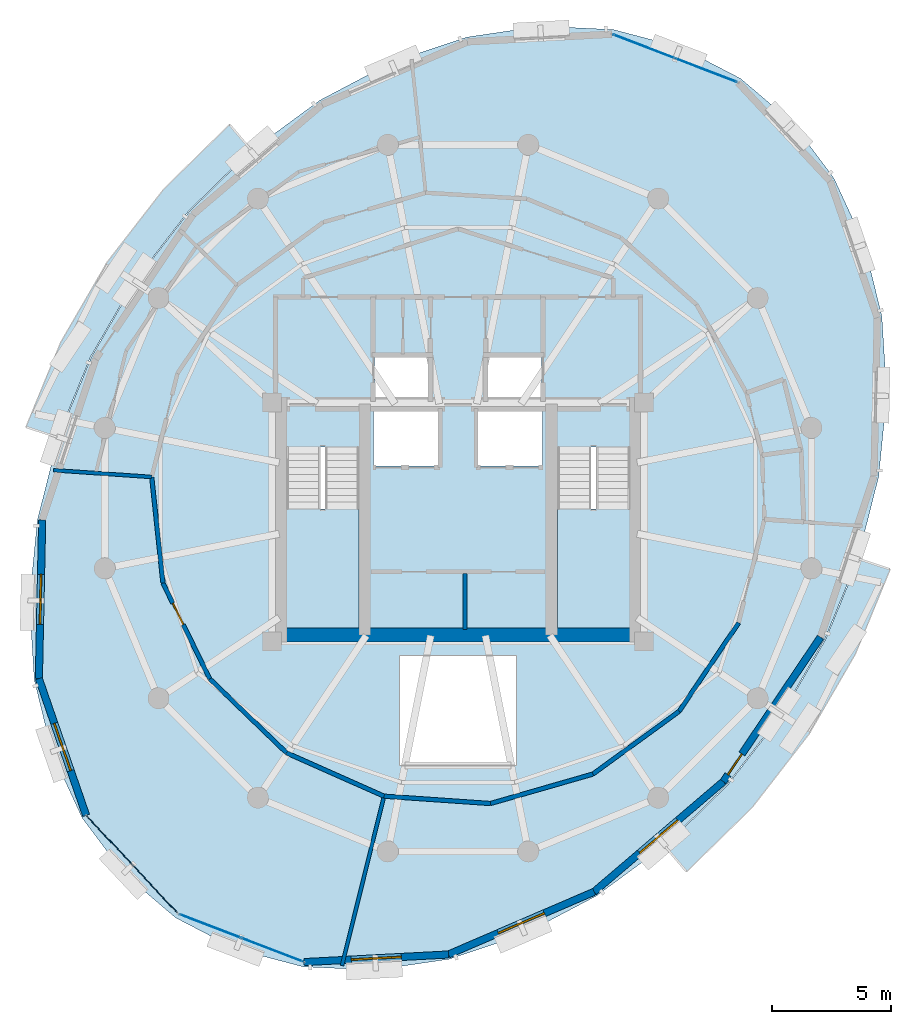
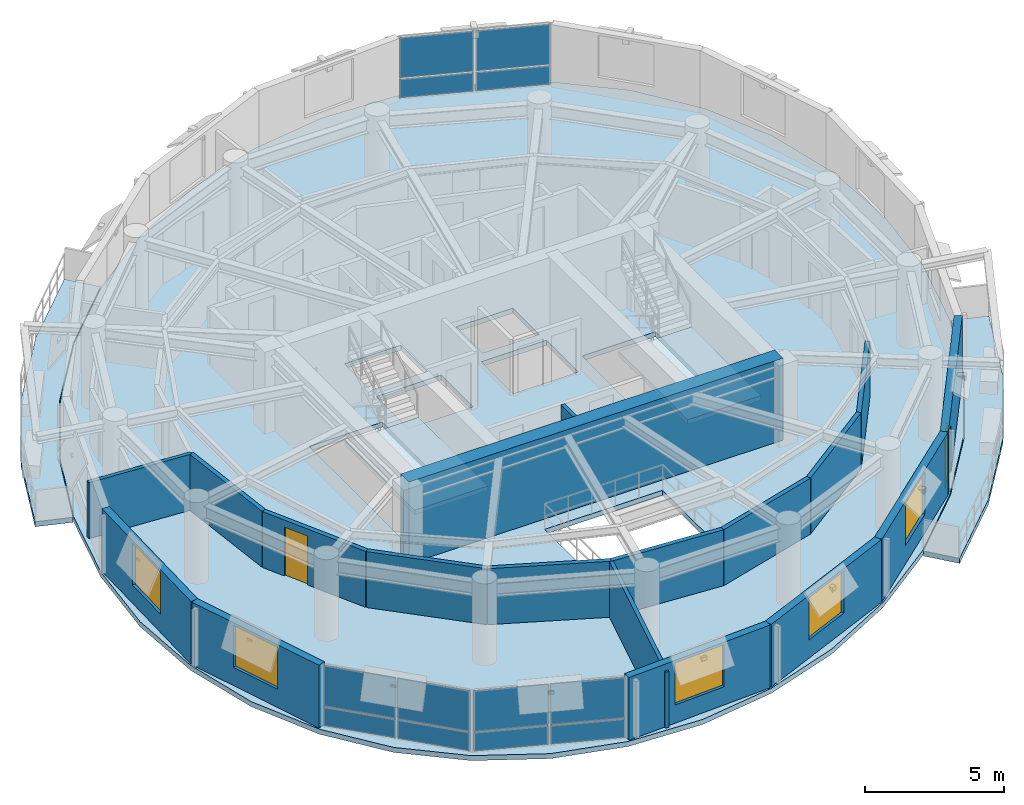
# One storey, part 6 of 11: 18 walls, 12 plates, 5 slabs, 5 windows, 2 doors, 7 openings, 5 elements without a shape of their own.
"""IFC4 building model written with IfcOpenShell, lengths in metres."""

from ifc_helpers import new_model, si_unit, direction, frame, frame_2d, origin, origin_2d, place, context, subcontext, project, spatial, polyline, rectangle, outline, extrude, material, layer, layer_set, type_object, element, fill, aggregate, save


model = new_model("IFC4")

# Units and contexts
model_context = context("Model", 3, precision=1e-05, world=origin(), true_north=direction((0.0, 1.0)))
body_context = subcontext(model_context, "Body", "Model", "MODEL_VIEW")
ifc_project = project(units=[si_unit("LENGTHUNIT", "METRE"), si_unit("AREAUNIT", "SQUARE_METRE"), si_unit("VOLUMEUNIT", "CUBIC_METRE"), si_unit("PLANEANGLEUNIT", "RADIAN"), si_unit("MASSUNIT", "GRAM", prefix="KILO"), si_unit("THERMODYNAMICTEMPERATUREUNIT", "KELVIN"), si_unit("POWERUNIT", "WATT")], contexts=[model_context])

# Site, building, storey
site_placement = place(None, origin())
site = spatial("IfcSite", under=ifc_project, at=site_placement, CompositionType="ELEMENT")
building_placement = place(site_placement, origin())
building = spatial("IfcBuilding", under=site, at=building_placement, Name="Ocrelia Relay Tower", CompositionType="ELEMENT")
storey_placement = place(building_placement, frame((0.0, 0.0, 262.800048828125)))
storey = spatial("IfcBuildingStorey", under=building, at=storey_placement, Name="L65", CompositionType="ELEMENT", Elevation=262.800048828125)

# Curtain wall, plates
ifc_material_1 = material(Name="Aluminium and solar-control low-E glass", Category="aluminium")
ifc_layer_1 = layer(ifc_material_1, 0.179931640625, Name="Aluminium and solar-control low-E glass")
ifc_layer_set_1 = layer_set([ifc_layer_1], Name="Aluminium and solar-control low-E glass")
curtain_wall_type = type_object("IfcCurtainWallType", Name="CW-SYS-Z4-EXEC", PredefinedType="NOTDEFINED", material=ifc_layer_set_1)
curtain_wall_1_placement = place(storey_placement, origin())
curtain_wall_1 = element("IfcCurtainWall", 1, at=curtain_wall_1_placement, inside=storey, type_object=curtain_wall_type, Name="L65 Elliptical Tower Curtain Wall Bay 01", PredefinedType="NOTDEFINED")
ifc_material_2 = material(Name="Clear double-glazed low-E glass", Category="glass")
ifc_layer_2 = layer(ifc_material_2, 0.031982421875, Name="Clear double-glazed low-E glass")
ifc_layer_set_2 = layer_set([ifc_layer_2], Name="Clear double-glazed low-E glass")
plate_type = type_object("IfcPlateType", Name="CW-SYS-Z4-EXEC-PNL", PredefinedType="CURTAIN_PANEL", material=ifc_layer_set_2)
plate_1_placement = place(storey_placement, frame((44.39404296875, 43.931884765625, 0.059814453125), z_axis=(0.0, 0.0, 1.0), x_axis=(-0.93359352181, 0.358333833227, 0.0)))
plate_1 = element("IfcPlate", 2, at=plate_1_placement, type_object=plate_type, Name="CW-Z4 panel 1.1", PredefinedType="CURTAIN_PANEL", context=body_context, shape_type="SweptSolid", body=[
    extrude(rectangle(XDim=2.7275390625, YDim=0.031982421875, at=origin_2d()), origin(), (0.0, 0.0, 1.0), 0.81005859375),
])
plate_2_placement = place(storey_placement, frame((44.39404296875, 43.931884765625, 0.929931640625), z_axis=(0.0, 0.0, 1.0), x_axis=(-0.93359352181, 0.358333833227, 0.0)))
plate_2 = element("IfcPlate", 3, at=plate_2_placement, type_object=plate_type, Name="CW-Z4 panel 1.2", PredefinedType="CURTAIN_PANEL", context=body_context, shape_type="SweptSolid", body=[
    extrude(rectangle(XDim=2.7275390625, YDim=0.031982421875, at=origin_2d()), origin(), (0.0, 0.0, 1.0), 1.77001953125),
])
plate_3_placement = place(storey_placement, frame((41.786865234375, 44.9326171875, 0.059814453125), z_axis=(0.0, 0.0, 1.0), x_axis=(-0.93359352181, 0.358333833227, 0.0)))
plate_3 = element("IfcPlate", 4, at=plate_3_placement, type_object=plate_type, Name="CW-Z4 panel 2.1", PredefinedType="CURTAIN_PANEL", context=body_context, shape_type="SweptSolid", body=[
    extrude(rectangle(XDim=2.7275390625, YDim=0.031982421875, at=origin_2d()), origin(), (0.0, 0.0, 1.0), 0.81005859375),
])
plate_4_placement = place(storey_placement, frame((41.786865234375, 44.9326171875, 0.929931640625), z_axis=(0.0, 0.0, 1.0), x_axis=(-0.93359352181, 0.358333833227, 0.0)))
plate_4 = element("IfcPlate", 5, at=plate_4_placement, type_object=plate_type, Name="CW-Z4 panel 2.2", PredefinedType="CURTAIN_PANEL", context=body_context, shape_type="SweptSolid", body=[
    extrude(rectangle(XDim=2.7275390625, YDim=0.031982421875, at=origin_2d()), origin(), (0.0, 0.0, 1.0), 1.77001953125),
])
aggregate(curtain_wall_1, [plate_1, plate_2, plate_3, plate_4])

curtain_wall_2_placement = place(storey_placement, origin())
curtain_wall_2 = element("IfcCurtainWall", 6, at=curtain_wall_2_placement, inside=storey, type_object=curtain_wall_type, Name="L65 Elliptical Tower Curtain Wall Bay 09", PredefinedType="NOTDEFINED")
plate_5_placement = place(storey_placement, frame((19.387939453125, 11.66259765625, 0.059814453125), z_axis=(0.0, 0.0, 1.0), x_axis=(0.683240243185, -0.73019365246, 0.0)))
plate_5 = element("IfcPlate", 7, at=plate_5_placement, type_object=plate_type, Name="CW-Z4 panel 1.1", PredefinedType="CURTAIN_PANEL", context=body_context, shape_type="SweptSolid", body=[
    extrude(rectangle(XDim=2.7275390625, YDim=0.031982421875, at=origin_2d()), origin(), (0.0, 0.0, 1.0), 0.81005859375),
])
plate_6_placement = place(storey_placement, frame((19.387939453125, 11.66259765625, 0.929931640625), z_axis=(0.0, 0.0, 1.0), x_axis=(0.683240243185, -0.73019365246, 0.0)))
plate_6 = element("IfcPlate", 8, at=plate_6_placement, type_object=plate_type, Name="CW-Z4 panel 1.2", PredefinedType="CURTAIN_PANEL", context=body_context, shape_type="SweptSolid", body=[
    extrude(rectangle(XDim=2.7275390625, YDim=0.031982421875, at=origin_2d()), origin(), (0.0, 0.0, 1.0), 1.77001953125),
])
plate_7_placement = place(storey_placement, frame((21.2958984375, 9.623291015625, 0.059814453125), z_axis=(0.0, 0.0, 1.0), x_axis=(0.683240243185, -0.73019365246, 0.0)))
plate_7 = element("IfcPlate", 9, at=plate_7_placement, type_object=plate_type, Name="CW-Z4 panel 2.1", PredefinedType="CURTAIN_PANEL", context=body_context, shape_type="SweptSolid", body=[
    extrude(rectangle(XDim=2.7275390625, YDim=0.031982421875, at=origin_2d()), origin(), (0.0, 0.0, 1.0), 0.81005859375),
])
plate_8_placement = place(storey_placement, frame((21.2958984375, 9.623291015625, 0.929931640625), z_axis=(0.0, 0.0, 1.0), x_axis=(0.683240243185, -0.73019365246, 0.0)))
plate_8 = element("IfcPlate", 10, at=plate_8_placement, type_object=plate_type, Name="CW-Z4 panel 2.2", PredefinedType="CURTAIN_PANEL", context=body_context, shape_type="SweptSolid", body=[
    extrude(rectangle(XDim=2.7275390625, YDim=0.031982421875, at=origin_2d()), origin(), (0.0, 0.0, 1.0), 1.77001953125),
])
aggregate(curtain_wall_2, [plate_5, plate_6, plate_7, plate_8])

curtain_wall_3_placement = place(storey_placement, origin())
curtain_wall_3 = element("IfcCurtainWall", 11, at=curtain_wall_3_placement, inside=storey, type_object=curtain_wall_type, Name="L65 Elliptical Tower Curtain Wall Bay 10", PredefinedType="NOTDEFINED")
plate_9_placement = place(storey_placement, frame((23.60595703125, 8.068115234375, 0.059814453125), z_axis=(0.0, 0.0, 1.0), x_axis=(0.93359352181, -0.358333833227, 0.0)))
plate_9 = element("IfcPlate", 12, at=plate_9_placement, type_object=plate_type, Name="CW-Z4 panel 1.1", PredefinedType="CURTAIN_PANEL", context=body_context, shape_type="SweptSolid", body=[
    extrude(rectangle(XDim=2.7275390625, YDim=0.031982421875, at=origin_2d()), origin(), (0.0, 0.0, 1.0), 0.81005859375),
])
plate_10_placement = place(storey_placement, frame((23.60595703125, 8.068115234375, 0.929931640625), z_axis=(0.0, 0.0, 1.0), x_axis=(0.93359352181, -0.358333833227, 0.0)))
plate_10 = element("IfcPlate", 13, at=plate_10_placement, type_object=plate_type, Name="CW-Z4 panel 1.2", PredefinedType="CURTAIN_PANEL", context=body_context, shape_type="SweptSolid", body=[
    extrude(rectangle(XDim=2.7275390625, YDim=0.031982421875, at=origin_2d()), origin(), (0.0, 0.0, 1.0), 1.77001953125),
])
plate_11_placement = place(storey_placement, frame((26.213134765625, 7.0673828125, 0.059814453125), z_axis=(0.0, 0.0, 1.0), x_axis=(0.93359352181, -0.358333833227, 0.0)))
plate_11 = element("IfcPlate", 14, at=plate_11_placement, type_object=plate_type, Name="CW-Z4 panel 2.1", PredefinedType="CURTAIN_PANEL", context=body_context, shape_type="SweptSolid", body=[
    extrude(rectangle(XDim=2.7275390625, YDim=0.031982421875, at=origin_2d()), origin(), (0.0, 0.0, 1.0), 0.81005859375),
])
plate_12_placement = place(storey_placement, frame((26.213134765625, 7.0673828125, 0.929931640625), z_axis=(0.0, 0.0, 1.0), x_axis=(0.93359352181, -0.358333833227, 0.0)))
plate_12 = element("IfcPlate", 15, at=plate_12_placement, type_object=plate_type, Name="CW-Z4 panel 2.2", PredefinedType="CURTAIN_PANEL", context=body_context, shape_type="SweptSolid", body=[
    extrude(rectangle(XDim=2.7275390625, YDim=0.031982421875, at=origin_2d()), origin(), (0.0, 0.0, 1.0), 1.77001953125),
])
aggregate(curtain_wall_3, [plate_9, plate_10, plate_11, plate_12])

# Slabs
ifc_material_3 = material(Name="Precast concrete C40/50", Category="concrete")
ifc_layer_3 = layer(ifc_material_3, 0.219970703125, Name="Precast concrete C40/50")
ifc_layer_set_3 = layer_set([ifc_layer_3], Name="Precast concrete C40/50")
slab_type_1 = type_object("IfcSlabType", Name="SL-BALC-220", PredefinedType="FLOOR", material=ifc_layer_set_3)
slab_1_placement = place(storey_placement, frame((0.0, 0.0, -0.219970703125)))
element("IfcSlab", 16, at=slab_1_placement, inside=storey, type_object=slab_type_1, Name="L65 Planted Loggia Balcony B1", PredefinedType="FLOOR", context=body_context, shape_type="SweptSolid", body=[
    extrude(outline(polyline([(25.323974609375, 40.591796875), (24.020751953125, 39.315185546875), (22.717529296875, 38.03857421875), (20.453857421875, 35.119873046875), (18.601318359375, 31.92431640625), (17.90869140625, 30.236572265625), (17.21630859375, 28.548583984375), (15.89306640625, 28.985595703125), (16.6220703125, 30.762451171875), (17.351318359375, 32.53955078125), (19.298095703125, 35.897705078125), (21.67724609375, 38.965087890625), (23.04931640625, 40.309326171875), (24.42138671875, 41.6533203125), (25.323974609375, 40.591796875)])), origin(), (0.0, 0.0, 1.0), 0.219970703125),
])
slab_2_placement = place(storey_placement, frame((0.0, 0.0, -0.219970703125)))
element("IfcSlab", 17, at=slab_2_placement, inside=storey, type_object=slab_type_1, Name="L65 Planted Loggia Balcony B2", PredefinedType="FLOOR", context=body_context, shape_type="SweptSolid", body=[
    extrude(outline(polyline([(42.676025390625, 11.408203125), (43.979248046875, 12.684814453125), (45.282470703125, 13.96142578125), (47.546142578125, 16.880126953125), (49.398681640625, 20.07568359375), (50.09130859375, 21.763427734375), (50.78369140625, 23.451416015625), (52.10693359375, 23.014404296875), (51.3779296875, 21.237548828125), (50.648681640625, 19.46044921875), (48.701904296875, 16.102294921875), (46.32275390625, 13.034912109375), (44.95068359375, 11.690673828125), (43.57861328125, 10.3466796875), (42.676025390625, 11.408203125)])), origin(), (0.0, 0.0, 1.0), 0.219970703125),
])
ifc_material_4 = material(Name="Concrete C50/60", Category="concrete")
ifc_layer_4 = layer(ifc_material_4, 0.219970703125, Name="Concrete C50/60")
ifc_layer_set_4 = layer_set([ifc_layer_4], Name="Concrete C50/60")
slab_type_2 = type_object("IfcSlabType", Name="SL-FLR-220", PredefinedType="FLOOR", material=ifc_layer_set_4)
slab_3_placement = place(storey_placement, frame((0.0, 0.0, -0.219970703125)))
element("IfcSlab", 18, at=slab_3_placement, inside=storey, type_object=slab_type_2, Name="L65 Elliptical Tower Floor Slab", PredefinedType="FLOOR", context=body_context, shape_type="SweptSolid", body=[
    extrude(outline(polyline([(45.839599609375, 43.5859375), (43.311767578125, 44.8994140625), (40.5009765625, 45.638916015625), (37.49267578125, 45.781494140625), (34.37841796875, 45.322998046875), (31.25244140625, 44.27734375), (28.2099609375, 42.676513671875), (25.343505859375, 40.56884765625), (22.739990234375, 38.0185546875), (20.478759765625, 35.10302734375), (18.628173828125, 31.910888671875), (17.244873046875, 28.539306640625), (16.37060546875, 25.090576171875), (16.03173828125, 21.669189453125), (16.239013671875, 18.379638671875), (16.986083984375, 15.32177734375), (18.25, 12.588134765625), (19.992431640625, 10.261962890625), (22.160400390625, 8.4140625), (24.688232421875, 7.1005859375), (27.4990234375, 6.361083984375), (30.50732421875, 6.218505859375), (33.62158203125, 6.677001953125), (36.74755859375, 7.72265625), (39.7900390625, 9.323486328125), (42.656494140625, 11.43115234375), (45.260009765625, 13.9814453125), (47.521240234375, 16.89697265625), (49.371826171875, 20.089111328125), (50.755126953125, 23.460693359375), (51.62939453125, 26.909423828125), (51.96826171875, 30.330810546875), (51.760986328125, 33.620361328125), (51.013916015625, 36.67822265625), (49.75, 39.411865234375), (48.007568359375, 41.738037109375), (45.839599609375, 43.5859375)]), holes=[polyline([(26.81005859375, 28.14990234375), (26.81005859375, 20.550048828125), (29.85009765625, 20.550048828125), (29.85009765625, 28.14990234375), (26.81005859375, 28.14990234375)]), polyline([(38.159912109375, 28.14990234375), (38.159912109375, 20.550048828125), (41.199951171875, 20.550048828125), (41.199951171875, 28.14990234375), (38.159912109375, 28.14990234375)]), polyline([(30.4599609375, 27.35009765625), (33.159912109375, 27.35009765625), (33.159912109375, 29.64990234375), (30.4599609375, 29.64990234375), (30.4599609375, 27.35009765625)]), polyline([(34.840087890625, 27.35009765625), (37.5400390625, 27.35009765625), (37.5400390625, 29.64990234375), (34.840087890625, 29.64990234375), (34.840087890625, 27.35009765625)]), polyline([(30.5, 30.10009765625), (32.85009765625, 30.10009765625), (32.85009765625, 32.0), (30.5, 32.0), (30.5, 30.10009765625)]), polyline([(35.14990234375, 30.10009765625), (37.5, 30.10009765625), (37.5, 32.0), (35.14990234375, 32.0), (35.14990234375, 30.10009765625)]), polyline([(31.550048828125, 14.800048828125), (36.449951171875, 14.800048828125), (36.449951171875, 19.39990234375), (31.550048828125, 19.39990234375), (31.550048828125, 14.800048828125)])]), origin(), (0.0, 0.0, 1.0), 0.219970703125),
])

# Stair, slab
stair_type = type_object("IfcStairType", Name="ST-DL-1420-R180", PredefinedType="HALF_TURN_STAIR", material=ifc_material_4)
stair_1_placement = place(storey_placement, origin())
stair_1 = element("IfcStair", 19, at=stair_1_placement, inside=storey, type_object=stair_type, Name="L65 West Core Exit Stair ST1", PredefinedType="HALF_TURN_STAIR")
ifc_layer_5 = layer(ifc_material_4, 0.199951171875, Name="Concrete C50/60")
ifc_layer_set_5 = layer_set([ifc_layer_5], Name="Concrete C50/60")
slab_type_3 = type_object("IfcSlabType", Name="SL-LANDING-200", PredefinedType="LANDING", material=ifc_layer_set_5)
slab_4_placement = place(storey_placement, frame((0.0, 0.0, 1.599853515625)))
slab_4 = element("IfcSlab", 20, at=slab_4_placement, type_object=slab_type_3, Name="ST1 landing 1", PredefinedType="LANDING", context=body_context, shape_type="SweptSolid", body=[
    extrude(outline(polyline([(26.81005859375, 25.5400390625), (26.81005859375, 20.550048828125), (29.85009765625, 20.550048828125), (29.85009765625, 25.5400390625), (26.81005859375, 25.5400390625)])), origin(), (0.0, 0.0, 1.0), 0.2001953125),
])
aggregate(stair_1, [slab_4])

stair_2_placement = place(storey_placement, origin())
stair_2 = element("IfcStair", 21, at=stair_2_placement, inside=storey, type_object=stair_type, Name="L65 East Core Exit Stair ST2", PredefinedType="HALF_TURN_STAIR")
slab_5_placement = place(storey_placement, frame((0.0, 0.0, 1.599853515625)))
slab_5 = element("IfcSlab", 22, at=slab_5_placement, type_object=slab_type_3, Name="ST2 landing 1", PredefinedType="LANDING", context=body_context, shape_type="SweptSolid", body=[
    extrude(outline(polyline([(38.159912109375, 25.5400390625), (38.159912109375, 20.550048828125), (41.199951171875, 20.550048828125), (41.199951171875, 25.5400390625), (38.159912109375, 25.5400390625)])), origin(), (0.0, 0.0, 1.0), 0.2001953125),
])
aggregate(stair_2, [slab_5])

# Walls
ifc_layer_6 = layer(ifc_material_4, 0.60009765625, Name="Concrete C50/60")
ifc_layer_set_6 = layer_set([ifc_layer_6], Name="Concrete C50/60")
wall_type_1 = type_object("IfcWallType", Name="CW-CORE-600B", PredefinedType="SHEAR", material=ifc_layer_set_6)
wall_1_placement = place(storey_placement, frame((26.221923828125, 20.261962890625, 0.0), z_axis=(0.0, 0.0, 1.0), x_axis=(1.0, 0.0, 0.0)))
element("IfcWall", 23, at=wall_1_placement, inside=storey, type_object=wall_type_1, Name="L65 Core Shear Wall S", PredefinedType="SHEAR", context=body_context, shape_type="SweptSolid", body=[
    extrude(rectangle(XDim=15.566162109375, YDim=0.60009765625, at=frame_2d((7.783203125, 0.0))), origin(), (0.0, 0.0, 1.0), 3.599853515625),
])
ifc_material_5 = material(Name="Gypsum Fireboard Partition EI60", Category="gypsum")
ifc_layer_7 = layer(ifc_material_5, 0.179931640625, Name="Gypsum Fireboard Partition EI60")
ifc_layer_set_7 = layer_set([ifc_layer_7], Name="Gypsum Fireboard Partition EI60")
wall_type_2 = type_object("IfcWallType", Name="W-CORR-EI60-180", PredefinedType="PARTITIONING", material=ifc_layer_set_7)
wall_2_placement = place(storey_placement, frame((21.16064453125, 26.88671875, 0.0), z_axis=(0.0, 0.0, 1.0), x_axis=(0.10536430775, -0.994433689419, 0.0)))
element("IfcWall", 24, at=wall_2_placement, inside=storey, type_object=wall_type_2, Name="L65 Treaty Folio Store C Corridor Partition 1", PredefinedType="PARTITIONING", context=body_context, shape_type="SweptSolid", body=[
    extrude(rectangle(XDim=4.4697265625, YDim=0.179931640625, at=frame_2d((2.23486328125, 0.0))), origin(), (0.0, 0.0, 1.0), 2.4599609375),
])

# Wall, opening, door
wall_3_placement = place(storey_placement, frame((21.631591796875, 22.44189453125, 0.0), z_axis=(0.0, 0.0, 1.0), x_axis=(0.439133720945, -0.898421713411, 0.0)))
wall_3 = element("IfcWall", 25, at=wall_3_placement, inside=storey, type_object=wall_type_2, Name="L65 Treaty Folio Store C Corridor Partition 2", PredefinedType="PARTITIONING", context=body_context, shape_type="SweptSolid", body=[
    extrude(rectangle(XDim=4.469970703125, YDim=0.179931640625, at=frame_2d((2.23486328125, 0.0))), origin(), (0.0, 0.0, 1.0), 2.4599609375),
])
opening_1_placement = place(wall_3_placement, frame((0.9423828125, 0.0, 0.0)))
opening_1 = element("IfcOpeningElement", 26, at=opening_1_placement, cuts=wall_3, Name="Opening D-RM100", PredefinedType="OPENING", context=body_context, shape_type="SweptSolid", body=[
    extrude(rectangle(XDim=1.0, YDim=2.14990234375, at=frame_2d((0.5, 1.074951171875))), frame((0.0, 0.10009765625, 0.0), z_axis=(0.0, -1.0, 0.0), x_axis=(1.0, 0.0, 0.0)), (0.0, 0.0, 1.0), 0.199951171875),
])
ifc_material_6 = material(Name="Acoustic oak veneer fire door", Category="wood")
door_type_1 = type_object("IfcDoorType", Name="DR-ROOM-FD60-1000", OperationType="NOTDEFINED", PredefinedType="DOOR", material=ifc_material_6)
door_1_placement = place(opening_1_placement, origin())
door_1 = element("IfcDoor", 27, at=door_1_placement, inside=storey, type_object=door_type_1, Name="L65 Treaty Folio Store C Entrance Door", OperationType="SINGLE_SWING_LEFT", OverallHeight=2.14990234375, OverallWidth=1.0, PredefinedType="DOOR", context=body_context, shape_type="SweptSolid", body=[
    extrude(rectangle(XDim=1.0, YDim=2.14990234375, at=frame_2d((0.5, 1.074951171875))), frame((0.0, 0.02490234375, 0.0), z_axis=(0.0, -1.0, 0.0), x_axis=(1.0, 0.0, 0.0)), (0.0, 0.0, 1.0), 0.050048828125),
])
fill(opening_1, door_1)

# Walls
for number, where, z_axis, x_axis, name in (
    (28, (23.594482421875, 18.426025390625, 0.0), (0.0, 0.0, 1.0), (0.719960278422, -0.694015271802, 0.0), "L65 Treaty Folio Store C Corridor Partition 3"),
    (29, (26.8125, 15.323974609375, 0.0), (0.0, 0.0, 1.0), (0.91390162096, -0.405935742707, 0.0), "L65 Treaty Folio Store C Corridor Partition 4"),
):
    element("IfcWall", number, at=place(storey_placement, frame(where, z_axis=z_axis, x_axis=x_axis)), inside=storey, type_object=wall_type_2, Name=name, PredefinedType="PARTITIONING", context=body_context, shape_type="SweptSolid", body=[
        extrude(rectangle(XDim=4.4697265625, YDim=0.179931640625, at=frame_2d((2.23486328125, 0.0))), origin(), (0.0, 0.0, 1.0), 2.4599609375),
    ])
wall_4_placement = place(storey_placement, frame((30.8974609375, 13.509521484375, 0.0), z_axis=(0.0, 0.0, 1.0), x_axis=(0.997625024819, -0.068878950739, 0.0)))
element("IfcWall", 30, at=wall_4_placement, inside=storey, type_object=wall_type_2, Name="L65 Archive Vault Store West Corridor Partition 1", PredefinedType="PARTITIONING", context=body_context, shape_type="SweptSolid", body=[
    extrude(rectangle(XDim=4.469482421875, YDim=0.179931640625, at=frame_2d((2.23486328125, 0.0))), origin(), (0.0, 0.0, 1.0), 2.4599609375),
])
for number, where, z_axis, x_axis, name in (
    (31, (35.3564453125, 13.20166015625, 0.0), (0.0, 0.0, 1.0), (0.961015255025, 0.276495351878, 0.0), "L65 Archive Vault Store West Corridor Partition 2"),
    (32, (39.65185546875, 14.4375, 0.0), (0.0, 0.0, 1.0), (0.808504545443, 0.588489931942, 0.0), "L65 Archive Vault Store West Corridor Partition 3"),
    (33, (43.265625, 17.06787109375, 0.0), (0.0, 0.0, 1.0), (0.558488411433, 0.829512323172, 0.0), "L65 Archive Vault Store West Corridor Partition 4"),
):
    element("IfcWall", number, at=place(storey_placement, frame(where, z_axis=z_axis, x_axis=x_axis)), inside=storey, type_object=wall_type_2, Name=name, PredefinedType="PARTITIONING", context=body_context, shape_type="SweptSolid", body=[
        extrude(rectangle(XDim=4.4697265625, YDim=0.179931640625, at=frame_2d((2.23486328125, 0.0))), origin(), (0.0, 0.0, 1.0), 2.4599609375),
    ])

# Wall, opening, window
ifc_material_7 = material(Name="Precast concrete C40/50 with oxide terracotta", Category="masonry")
ifc_layer_8 = layer(ifc_material_7, 0.300048828125, Name="Precast concrete C40/50 with oxide terracotta")
ifc_layer_set_8 = layer_set([ifc_layer_8], Name="Precast concrete C40/50 with oxide terracotta")
wall_type_3 = type_object("IfcWallType", Name="W-EXT-TERR-300", PredefinedType="SOLIDWALL", material=ifc_layer_set_8)
wall_5_placement = place(storey_placement, frame((16.570068359375, 25.07666015625, 0.0), z_axis=(0.0, 0.0, 1.0), x_axis=(-0.020874732842, -0.999782099024, 0.0)))
wall_5 = element("IfcWall", 34, at=wall_5_placement, inside=storey, type_object=wall_type_3, Name="L65 Oxide Terracotta Facade Wall 07", PredefinedType="SOLIDWALL", context=body_context, shape_type="SweptSolid", body=[
    extrude(rectangle(XDim=6.64306640625, YDim=0.300048828125, at=frame_2d((3.321533203125, 0.0))), origin(), (0.0, 0.0, 1.0), 2.760009765625),
])
opening_2_placement = place(wall_5_placement, frame((2.27197265625, 0.0, 0.800048828125)))
opening_2 = element("IfcOpeningElement", 35, at=opening_2_placement, cuts=wall_5, Name="Opening W-07", PredefinedType="OPENING", context=body_context, shape_type="SweptSolid", body=[
    extrude(rectangle(XDim=2.10009765625, YDim=1.85009765625, at=frame_2d((1.050048828125, 0.925048828125))), frame((0.0, 0.16015625, 0.0), z_axis=(0.0, -1.0, 0.0), x_axis=(1.0, 0.0, 0.0)), (0.0, 0.0, 1.0), 0.320068359375),
])
window_type = type_object("IfcWindowType", Name="WIN-Z4-2100x2200", PartitioningType="DOUBLE_PANEL_VERTICAL", PredefinedType="WINDOW", material=ifc_material_2)
window_1_placement = place(opening_2_placement, origin())
window_1 = element("IfcWindow", 36, at=window_1_placement, inside=storey, type_object=window_type, Name="L65 Facade Module Window 07", OverallHeight=1.85009765625, OverallWidth=2.10009765625, PartitioningType="SINGLE_PANEL", PredefinedType="WINDOW", context=body_context, shape_type="SweptSolid", body=[
    extrude(rectangle(XDim=2.10009765625, YDim=1.85009765625, at=frame_2d((1.050048828125, 0.925048828125))), frame((0.0, 0.030029296875, 0.0), z_axis=(0.0, -1.0, 0.0), x_axis=(1.0, 0.0, 0.0)), (0.0, 0.0, 1.0), 0.06005859375),
])
fill(opening_2, window_1)

wall_6_placement = place(storey_placement, frame((16.431396484375, 18.43505859375, 0.0), z_axis=(0.0, 0.0, 1.0), x_axis=(0.326672023945, -0.945137761795, 0.0)))
wall_6 = element("IfcWall", 37, at=wall_6_placement, inside=storey, type_object=wall_type_3, Name="L65 Oxide Terracotta Facade Wall 08", PredefinedType="SOLIDWALL", context=body_context, shape_type="SweptSolid", body=[
    extrude(rectangle(XDim=6.061767578125, YDim=0.300048828125, at=frame_2d((3.03076171875, 0.0))), origin(), (0.0, 0.0, 1.0), 2.760009765625),
])
opening_3_placement = place(wall_6_placement, frame((1.98095703125, 0.0, 0.800048828125)))
opening_3 = element("IfcOpeningElement", 38, at=opening_3_placement, cuts=wall_6, Name="Opening W-07", PredefinedType="OPENING", context=body_context, shape_type="SweptSolid", body=[
    extrude(rectangle(XDim=2.10009765625, YDim=1.85009765625, at=frame_2d((1.050048828125, 0.925048828125))), frame((0.0, 0.16015625, 0.0), z_axis=(0.0, -1.0, 0.0), x_axis=(1.0, 0.0, 0.0)), (0.0, 0.0, 1.0), 0.320068359375),
])
window_2_placement = place(opening_3_placement, origin())
window_2 = element("IfcWindow", 39, at=window_2_placement, inside=storey, type_object=window_type, Name="L65 Facade Module Window 08", OverallHeight=1.85009765625, OverallWidth=2.10009765625, PartitioningType="SINGLE_PANEL", PredefinedType="WINDOW", context=body_context, shape_type="SweptSolid", body=[
    extrude(rectangle(XDim=2.10009765625, YDim=1.85009765625, at=frame_2d((1.050048828125, 0.925048828125))), frame((0.0, 0.030029296875, 0.0), z_axis=(0.0, -1.0, 0.0), x_axis=(1.0, 0.0, 0.0)), (0.0, 0.0, 1.0), 0.06005859375),
])
fill(opening_3, window_2)

wall_7_placement = place(storey_placement, frame((27.547119140625, 6.555419921875, 0.0), z_axis=(0.0, 0.0, 1.0), x_axis=(0.998600866894, 0.052880134633, 0.0)))
wall_7 = element("IfcWall", 40, at=wall_7_placement, inside=storey, type_object=wall_type_3, Name="L65 Oxide Terracotta Facade Wall 11", PredefinedType="SOLIDWALL", context=body_context, shape_type="SweptSolid", body=[
    extrude(rectangle(XDim=6.06201171875, YDim=0.300048828125, at=frame_2d((3.031005859375, 0.0))), origin(), (0.0, 0.0, 1.0), 2.760009765625),
])
opening_4_placement = place(wall_7_placement, frame((1.98095703125, 0.0, 0.800048828125)))
opening_4 = element("IfcOpeningElement", 41, at=opening_4_placement, cuts=wall_7, Name="Opening W-07", PredefinedType="OPENING", context=body_context, shape_type="SweptSolid", body=[
    extrude(rectangle(XDim=2.10009765625, YDim=1.85009765625, at=frame_2d((1.050048828125, 0.925048828125))), frame((0.0, 0.16015625, 0.0), z_axis=(0.0, -1.0, 0.0), x_axis=(1.0, 0.0, 0.0)), (0.0, 0.0, 1.0), 0.320068359375),
])
window_3_placement = place(opening_4_placement, origin())
window_3 = element("IfcWindow", 42, at=window_3_placement, inside=storey, type_object=window_type, Name="L65 Facade Module Window 11", OverallHeight=1.85009765625, OverallWidth=2.10009765625, PartitioningType="SINGLE_PANEL", PredefinedType="WINDOW", context=body_context, shape_type="SweptSolid", body=[
    extrude(rectangle(XDim=2.10009765625, YDim=1.85009765625, at=frame_2d((1.050048828125, 0.925048828125))), frame((0.0, 0.030029296875, 0.0), z_axis=(0.0, -1.0, 0.0), x_axis=(1.0, 0.0, 0.0)), (0.0, 0.0, 1.0), 0.06005859375),
])
fill(opening_4, window_3)

wall_8_placement = place(storey_placement, frame((33.6005859375, 6.8759765625, 0.0), z_axis=(0.0, 0.0, 1.0), x_axis=(0.918476494061, 0.395475574287, 0.0)))
wall_8 = element("IfcWall", 43, at=wall_8_placement, inside=storey, type_object=wall_type_3, Name="L65 Oxide Terracotta Facade Wall 12", PredefinedType="SOLIDWALL", context=body_context, shape_type="SweptSolid", body=[
    extrude(rectangle(XDim=6.64306640625, YDim=0.300048828125, at=frame_2d((3.321533203125, 0.0))), origin(), (0.0, 0.0, 1.0), 2.760009765625),
])
opening_5_placement = place(wall_8_placement, frame((2.27197265625, 0.0, 0.800048828125)))
opening_5 = element("IfcOpeningElement", 44, at=opening_5_placement, cuts=wall_8, Name="Opening W-07", PredefinedType="OPENING", context=body_context, shape_type="SweptSolid", body=[
    extrude(rectangle(XDim=2.10009765625, YDim=1.85009765625, at=frame_2d((1.050048828125, 0.925048828125))), frame((0.0, 0.16015625, 0.0), z_axis=(0.0, -1.0, 0.0), x_axis=(1.0, 0.0, 0.0)), (0.0, 0.0, 1.0), 0.320068359375),
])
window_4_placement = place(opening_5_placement, origin())
window_4 = element("IfcWindow", 45, at=window_4_placement, inside=storey, type_object=window_type, Name="L65 Facade Module Window 12", OverallHeight=1.85009765625, OverallWidth=2.10009765625, PartitioningType="SINGLE_PANEL", PredefinedType="WINDOW", context=body_context, shape_type="SweptSolid", body=[
    extrude(rectangle(XDim=2.10009765625, YDim=1.85009765625, at=frame_2d((1.050048828125, 0.925048828125))), frame((0.0, 0.030029296875, 0.0), z_axis=(0.0, -1.0, 0.0), x_axis=(1.0, 0.0, 0.0)), (0.0, 0.0, 1.0), 0.06005859375),
])
fill(opening_5, window_4)

wall_9_placement = place(storey_placement, frame((39.7021484375, 9.503173828125, 0.0), z_axis=(0.0, 0.0, 1.0), x_axis=(0.760867335081, 0.648907465211, 0.0)))
wall_9 = element("IfcWall", 46, at=wall_9_placement, inside=storey, type_object=wall_type_3, Name="L65 Oxide Terracotta Facade Wall 13", PredefinedType="SOLIDWALL", context=body_context, shape_type="SweptSolid", body=[
    extrude(rectangle(XDim=7.115234375, YDim=0.300048828125, at=frame_2d((3.5576171875, 0.0))), origin(), (0.0, 0.0, 1.0), 2.760009765625),
])
opening_6_placement = place(wall_9_placement, frame((2.508056640625, 0.0, 0.800048828125)))
opening_6 = element("IfcOpeningElement", 47, at=opening_6_placement, cuts=wall_9, Name="Opening W-07", PredefinedType="OPENING", context=body_context, shape_type="SweptSolid", body=[
    extrude(rectangle(XDim=2.10009765625, YDim=1.85009765625, at=frame_2d((1.050048828125, 0.925048828125))), frame((0.0, 0.16015625, 0.0), z_axis=(0.0, -1.0, 0.0), x_axis=(1.0, 0.0, 0.0)), (0.0, 0.0, 1.0), 0.320068359375),
])
window_5_placement = place(opening_6_placement, origin())
window_5 = element("IfcWindow", 48, at=window_5_placement, inside=storey, type_object=window_type, Name="L65 Facade Module Window 13", OverallHeight=1.85009765625, OverallWidth=2.10009765625, PartitioningType="SINGLE_PANEL", PredefinedType="WINDOW", context=body_context, shape_type="SweptSolid", body=[
    extrude(rectangle(XDim=2.10009765625, YDim=1.85009765625, at=frame_2d((1.050048828125, 0.925048828125))), frame((0.0, 0.030029296875, 0.0), z_axis=(0.0, -1.0, 0.0), x_axis=(1.0, 0.0, 0.0)), (0.0, 0.0, 1.0), 0.06005859375),
])
fill(opening_6, window_5)

# Wall, opening, door
wall_10_placement = place(storey_placement, frame((45.115966796875, 14.120361328125, 0.0), z_axis=(0.0, 0.0, 1.0), x_axis=(0.558472062766, 0.829523330057, 0.0)))
wall_10 = element("IfcWall", 49, at=wall_10_placement, inside=storey, type_object=wall_type_3, Name="L65 Oxide Terracotta Facade Wall 14", PredefinedType="SOLIDWALL", context=body_context, shape_type="SweptSolid", body=[
    extrude(rectangle(XDim=7.293212890625, YDim=0.300048828125, at=frame_2d((3.646484375, 0.0))), origin(), (0.0, 0.0, 1.0), 2.760009765625),
])
opening_7_placement = place(wall_10_placement, frame((0.35009765625, 0.0, 0.0)))
opening_7 = element("IfcOpeningElement", 50, at=opening_7_placement, cuts=wall_10, Name="Opening DB-105", PredefinedType="OPENING", context=body_context, shape_type="SweptSolid", body=[
    extrude(rectangle(XDim=1.050048828125, YDim=2.14990234375, at=frame_2d((0.52490234375, 1.074951171875))), frame((0.0, 0.16015625, 0.0), z_axis=(0.0, -1.0, 0.0), x_axis=(1.0, 0.0, 0.0)), (0.0, 0.0, 1.0), 0.320068359375),
])
ifc_material_8 = material(Name="Thermally broken aluminium and clear glass", Category="aluminium")
door_type_2 = type_object("IfcDoorType", Name="DR-BALC-1050", OperationType="NOTDEFINED", PredefinedType="DOOR", material=ifc_material_8)
door_2_placement = place(opening_7_placement, origin())
door_2 = element("IfcDoor", 51, at=door_2_placement, inside=storey, type_object=door_type_2, Name="L65 Planted Loggia Balcony Door B2", OperationType="SINGLE_SWING_LEFT", OverallHeight=2.14990234375, OverallWidth=1.050048828125, PredefinedType="DOOR", context=body_context, shape_type="SweptSolid", body=[
    extrude(rectangle(XDim=1.050048828125, YDim=2.14990234375, at=frame_2d((0.52490234375, 1.074951171875))), frame((0.0, 0.02490234375, 0.0), z_axis=(0.0, -1.0, 0.0), x_axis=(1.0, 0.0, 0.0)), (0.0, 0.0, 1.0), 0.050048828125),
])
fill(opening_7, door_2)

# Walls
ifc_material_9 = material(Name="Acoustic Fireboard Partition EI60", Category="gypsum")
ifc_layer_9 = layer(ifc_material_9, 0.14990234375, Name="Acoustic Fireboard Partition EI60")
ifc_layer_set_9 = layer_set([ifc_layer_9], Name="Acoustic Fireboard Partition EI60")
wall_type_4 = type_object("IfcWallType", Name="W-PART-150", PredefinedType="PARTITIONING", material=ifc_layer_set_9)
wall_11_placement = place(storey_placement, frame((34.2900390625, 20.5, 0.0), z_axis=(0.0, 0.0, 1.0), x_axis=(0.0, 1.0, 0.0)))
element("IfcWall", 52, at=wall_11_placement, inside=storey, type_object=wall_type_4, Name="L65 Reclaimed Core Dividing Wall", PredefinedType="PARTITIONING", context=body_context, shape_type="SweptSolid", body=[
    extrude(rectangle(XDim=2.340087890625, YDim=0.14990234375, at=frame_2d((1.169921875, 0.0))), origin(), (0.0, 0.0, 1.0), 2.4599609375),
])
wall_12_placement = place(storey_placement, frame((21.16064453125, 26.88671875, 0.0), z_axis=(0.0, 0.0, 1.0), x_axis=(-0.997629768719, 0.068810206849, 0.0)))
element("IfcWall", 53, at=wall_12_placement, inside=storey, type_object=wall_type_4, Name="L65 Records Cupboard Store B Radial Partition", PredefinedType="PARTITIONING", context=body_context, shape_type="SweptSolid", body=[
    extrude(rectangle(XDim=4.1298828125, YDim=0.14990234375, at=frame_2d((2.06494140625, 0.0))), origin(), (0.0, 0.0, 1.0), 2.4599609375),
])
wall_13_placement = place(storey_placement, frame((30.8974609375, 13.509521484375, 0.0), z_axis=(0.0, 0.0, 1.0), x_axis=(-0.241098880109, -0.970500556419, 0.0)))
element("IfcWall", 54, at=wall_13_placement, inside=storey, type_object=wall_type_4, Name="L65 Treaty Folio Store C Radial Partition", PredefinedType="PARTITIONING", context=body_context, shape_type="SweptSolid", body=[
    extrude(rectangle(XDim=7.318115234375, YDim=0.14990234375, at=frame_2d((3.6591796875, 0.0))), origin(), (0.0, 0.0, 1.0), 2.4599609375),
])

save(model, "model.ifc")
